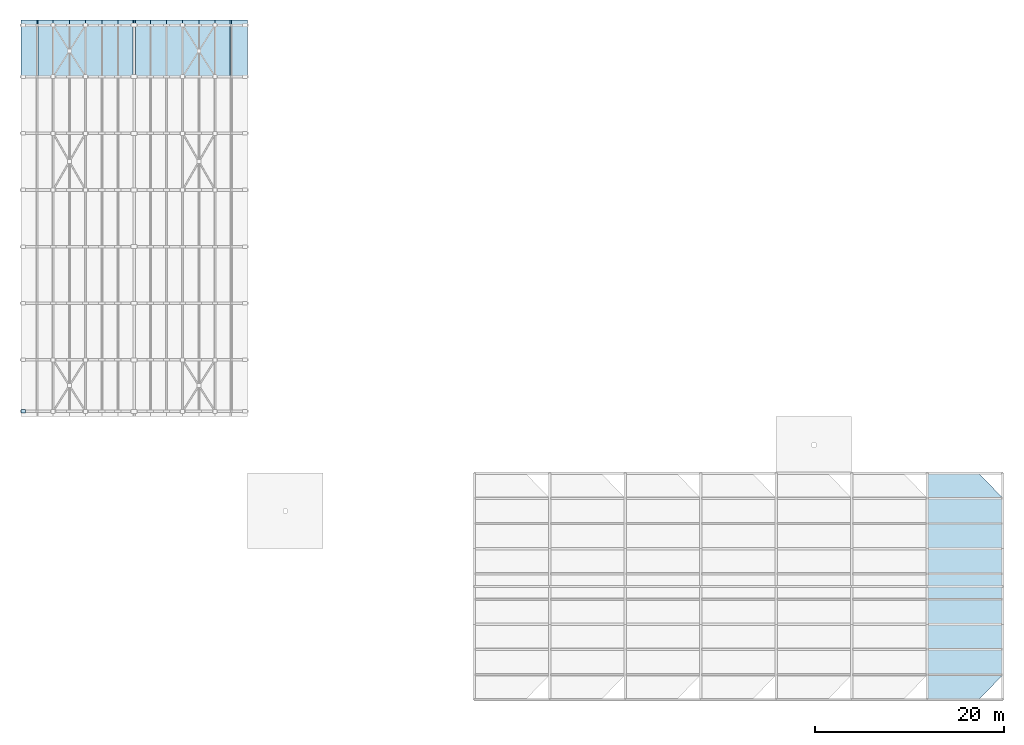
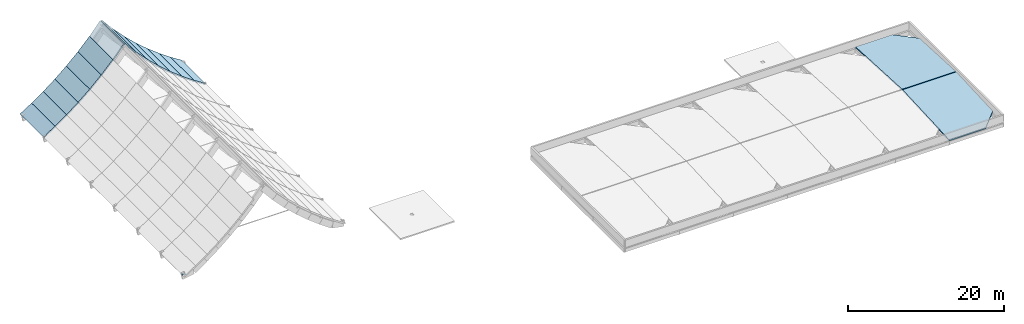
# One storey, part 5 of 7: 16 slabs, 1 plate.
"""IFC4 building model written with IfcOpenShell, lengths in metres."""

from ifc_helpers import new_model, si_unit, direction, frame, origin, origin_2d, place, context, subcontext, project, spatial, polyline, rectangle, outline, extrude, material, layer, layer_set, type_object, element, save


model = new_model("IFC4")

# Units and contexts
model_context = context("Model", 3, precision=1e-05, world=origin(), true_north=direction((0.0, 1.0)))
body_context = subcontext(model_context, "Body", "Model", "MODEL_VIEW")
ifc_project = project(units=[si_unit("LENGTHUNIT", "METRE"), si_unit("AREAUNIT", "SQUARE_METRE"), si_unit("VOLUMEUNIT", "CUBIC_METRE"), si_unit("PLANEANGLEUNIT", "RADIAN"), si_unit("MASSUNIT", "GRAM", prefix="KILO")], contexts=[model_context])

# Site, building, storey
site_placement = place(None, origin())
site = spatial("IfcSite", under=ifc_project, at=site_placement, CompositionType="ELEMENT")
building_placement = place(site_placement, origin())
building = spatial("IfcBuilding", under=site, at=building_placement, Name="Solvane Community Centre", CompositionType="ELEMENT")
storey_placement = place(building_placement, frame((0.0, 0.0, 22.199951171875)))
storey = spatial("IfcBuildingStorey", under=building, at=storey_placement, Name="RF", CompositionType="ELEMENT", Elevation=22.199951171875)

# Slabs
ifc_material_1 = material(Name="Cross-laminated timber C24", Category="wood")
ifc_layer_1 = layer(ifc_material_1, 0.199951171875)
ifc_layer_set_1 = layer_set([ifc_layer_1], Name="Cross-laminated timber C24")
slab_type_1 = type_object("IfcSlabType", Name="Insulated Pitched Roof Deck 200mm", PredefinedType="ROOF", material=ifc_layer_set_1)
slab_1_placement = place(storey_placement, frame((132.0, 6.0, 0.0), z_axis=(-7.218728e-06, -0.049949304334, 0.998751754414), x_axis=(0.999999999974, -3.6057e-07, 7.209717e-06)))
element("IfcSlab", 1, at=slab_1_placement, inside=storey, type_object=slab_type_1, Name="Pitched Roof SLB-PRF-V4-S7", PredefinedType="ROOF", context=body_context, shape_type="SweptSolid", body=[
    extrude(outline(polyline([(0.0, 0.0), (5.439941406108263, -2.8798810013916504e-22), (8.000000000625322, 2.632197648155185), (7.999999999924966, 11.964887212298295), (1.3340474325007824e-10, 11.964887212298295), (0.0, 0.0)])), origin(), (0.0, 0.0, -1.0), 0.199951171875),
])
slab_2_placement = place(storey_placement, frame((132.0, 18.050048828125, 0.59765625), z_axis=(-7.218728e-06, 0.049949304334, 0.998751754414), x_axis=(0.999999999974, 3.6057e-07, 7.209717e-06)))
element("IfcSlab", 2, at=slab_2_placement, inside=storey, type_object=slab_type_1, Name="Pitched Roof SLB-PRF-V4-N7", PredefinedType="ROOF", context=body_context, shape_type="SweptSolid", body=[
    extrude(outline(polyline([(0.0, 0.0), (7.9999999997915605, 4.235164736271502e-22), (8.000000000491916, 9.332689564143111), (5.439941405974857, 11.964887212298295), (-1.3340474325007824e-10, 11.964887212298295), (0.0, 0.0)])), origin(), (0.0, 0.0, -1.0), 0.199951171875),
])
ifc_layer_2 = layer(ifc_material_1, 0.199951171875)
ifc_layer_set_2 = layer_set([ifc_layer_2], Name="Cross-laminated timber C24")
slab_type_2 = type_object("IfcSlabType", Name="V1 Vault Roof Strip Slope 1 200mm", PredefinedType="ROOF", material=ifc_layer_set_2)
for number, where, z_axis, x_axis, name in (
    (3, (36.0, 72.0, -6.0), (-0.537939263543, 0.0, 0.84298359933), (0.84298359933, 0.0, 0.537939263543), "V1 Vault Roof Strip L1 Bay 7"),
    (4, (58.28564453125, 72.0, -4.906005859375), (0.537939263543, 0.0, 0.84298359933), (0.84298359933, 0.0, -0.537939263543), "V1 Vault Roof Strip R7 Bay 7"),
):
    element("IfcSlab", number, at=place(storey_placement, frame(where, z_axis=z_axis, x_axis=x_axis)), inside=storey, type_object=slab_type_2, Name=name, PredefinedType="ROOF", context=body_context, shape_type="SweptSolid", body=[
        extrude(outline(polyline([(0.0, 0.0), (2.0336759459055576, 0.0), (2.0336759459055576, 6.0), (0.0, 6.0), (0.0, 0.0)])), origin(), (0.0, 0.0, -1.0), 0.199951171875),
    ])
ifc_layer_3 = layer(ifc_material_1, 0.199951171875)
ifc_layer_set_3 = layer_set([ifc_layer_3], Name="Cross-laminated timber C24")
slab_type_3 = type_object("IfcSlabType", Name="V1 Vault Roof Strip Slope 2 200mm", PredefinedType="ROOF", material=ifc_layer_set_3)
for number, where, z_axis, x_axis, name in (
    (5, (37.71435546875, 72.0, -4.906005859375), (-0.575905782342, 0.0, 0.817516073154), (0.817516073154, 0.0, 0.575905782342), "V1 Vault Roof Strip L2 Bay 7"),
    (6, (56.571533203125, 72.0, -3.698486328125), (0.575905782342, 0.0, 0.817516073154), (0.817516073154, 0.0, -0.575905782342), "V1 Vault Roof Strip R6 Bay 7"),
):
    element("IfcSlab", number, at=place(storey_placement, frame(where, z_axis=z_axis, x_axis=x_axis)), inside=storey, type_object=slab_type_3, Name=name, PredefinedType="ROOF", context=body_context, shape_type="SweptSolid", body=[
        extrude(outline(polyline([(0.0, 0.0), (2.0967310422552226, 0.0), (2.0967310422552226, 6.000000000000002), (0.0, 6.000000000000002), (0.0, 0.0)])), origin(), (0.0, 0.0, -1.0), 0.199951171875),
    ])
ifc_layer_4 = layer(ifc_material_1, 0.199951171875)
ifc_layer_set_4 = layer_set([ifc_layer_4], Name="Cross-laminated timber C24")
slab_type_4 = type_object("IfcSlabType", Name="V1 Vault Roof Strip Slope 3 200mm", PredefinedType="ROOF", material=ifc_layer_set_4)
for number, where, z_axis, x_axis, name in (
    (7, (39.428466796875, 72.0, -3.698486328125), (-0.613761572762, 0.0, 0.789491438713), (0.789491438713, 0.0, 0.613761572762), "V1 Vault Roof Strip L3 Bay 7"),
    (8, (54.857177734375, 72.0, -2.36572265625), (0.613761572762, 0.0, 0.789491438713), (0.789491438713, 0.0, -0.613761572762), "V1 Vault Roof Strip R5 Bay 7"),
):
    element("IfcSlab", number, at=place(storey_placement, frame(where, z_axis=z_axis, x_axis=x_axis)), inside=storey, type_object=slab_type_4, Name=name, PredefinedType="ROOF", context=body_context, shape_type="SweptSolid", body=[
        extrude(outline(polyline([(0.0, 0.0), (2.171468092858554, 0.0), (2.171468092858554, 6.0), (0.0, 6.0), (0.0, 0.0)])), origin(), (0.0, 0.0, -1.0), 0.199951171875),
    ])
ifc_layer_5 = layer(ifc_material_1, 0.199951171875)
ifc_layer_set_5 = layer_set([ifc_layer_5], Name="Cross-laminated timber C24")
slab_type_5 = type_object("IfcSlabType", Name="V1 Vault Roof Strip Slope 4 200mm", PredefinedType="ROOF", material=ifc_layer_set_5)
for number, where, z_axis, x_axis, name in (
    (9, (41.142822265625, 72.0, -2.36572265625), (-0.651795863022, 0.0, 0.758394457355), (0.758394457355, 0.0, 0.651795863022), "V1 Vault Roof Strip L4 Bay 7"),
    (10, (53.142822265625, 72.0, -0.892333984375), (0.651795863022, 0.0, 0.758394457355), (0.758394457355, 0.0, -0.651795863022), "V1 Vault Roof Strip R4 Bay 7"),
):
    element("IfcSlab", number, at=place(storey_placement, frame(where, z_axis=z_axis, x_axis=x_axis)), inside=storey, type_object=slab_type_5, Name=name, PredefinedType="ROOF", context=body_context, shape_type="SweptSolid", body=[
        extrude(outline(polyline([(0.0, 0.0), (2.260506326388539, 0.0), (2.260506326388539, 6.000000000000002), (0.0, 6.000000000000002), (0.0, 0.0)])), origin(), (0.0, 0.0, -1.0), 0.199951171875),
    ])
ifc_layer_6 = layer(ifc_material_1, 0.199951171875)
ifc_layer_set_6 = layer_set([ifc_layer_6], Name="Cross-laminated timber C24")
slab_type_6 = type_object("IfcSlabType", Name="V1 Vault Roof Strip Slope 5 200mm", PredefinedType="ROOF", material=ifc_layer_set_6)
for number, where, z_axis, x_axis, name in (
    (11, (42.857177734375, 72.0, -0.892333984375), (-0.689729837538, 0.0, 0.724066814051), (0.724066814051, 0.0, 0.689729837538), "V1 Vault Roof Strip L5 Bay 7"),
    (12, (51.428466796875, 72.0, 0.74072265625), (0.689729837538, 0.0, 0.724066814051), (0.724066814051, 0.0, -0.689729837538), "V1 Vault Roof Strip R3 Bay 7"),
):
    element("IfcSlab", number, at=place(storey_placement, frame(where, z_axis=z_axis, x_axis=x_axis)), inside=storey, type_object=slab_type_6, Name=name, PredefinedType="ROOF", context=body_context, shape_type="SweptSolid", body=[
        extrude(outline(polyline([(0.0, 0.0), (2.3676757938371633, 0.0), (2.3676757938371633, 6.0), (0.0, 6.0), (0.0, 0.0)])), origin(), (0.0, 0.0, -1.0), 0.199951171875),
    ])
ifc_layer_7 = layer(ifc_material_1, 0.199951171875)
ifc_layer_set_7 = layer_set([ifc_layer_7], Name="Cross-laminated timber C24")
slab_type_7 = type_object("IfcSlabType", Name="V1 Vault Roof Strip Slope 6 200mm", PredefinedType="ROOF", material=ifc_layer_set_7)
for number, where, z_axis, x_axis, name in (
    (13, (44.571533203125, 72.0, 0.74072265625), (-0.727703636837, 0.0, 0.685891694755), (0.685891694755, 0.0, 0.727703636837), "V1 Vault Roof Strip L6 Bay 7"),
    (14, (49.71435546875, 72.0, 2.559326171875), (0.727703636837, 0.0, 0.685891694755), (0.685891694755, 0.0, -0.727703636837), "V1 Vault Roof Strip R2 Bay 7"),
):
    element("IfcSlab", number, at=place(storey_placement, frame(where, z_axis=z_axis, x_axis=x_axis)), inside=storey, type_object=slab_type_7, Name=name, PredefinedType="ROOF", context=body_context, shape_type="SweptSolid", body=[
        extrude(outline(polyline([(0.0, 0.0), (2.499099116131663, 0.0), (2.499099116131663, 6.0), (0.0, 6.0), (0.0, 0.0)])), origin(), (0.0, 0.0, -1.0), 0.199951171875),
    ])
ifc_layer_8 = layer(ifc_material_1, 0.199951171875)
ifc_layer_set_8 = layer_set([ifc_layer_8], Name="Cross-laminated timber C24")
slab_type_8 = type_object("IfcSlabType", Name="V1 Vault Roof Strip Slope 7 200mm", PredefinedType="ROOF", material=ifc_layer_set_8)
for number, where, z_axis, x_axis, name in (
    (15, (46.28564453125, 72.0, 2.559326171875), (-0.765712626193, 0.0, 0.643182846545), (0.643182846545, 0.0, 0.765712626193), "V1 Vault Roof Strip L7 Bay 7"),
    (16, (48.1201171875, 72.0, 4.457275390625), (0.765712626193, 0.0, 0.643182846545), (0.643182846545, 0.0, -0.765712626193), "V1 Vault Roof Strip R1 Bay 7"),
):
    element("IfcSlab", number, at=place(storey_placement, frame(where, z_axis=z_axis, x_axis=x_axis)), inside=storey, type_object=slab_type_8, Name=name, PredefinedType="ROOF", context=body_context, shape_type="SweptSolid", body=[
        extrude(outline(polyline([(0.0, 0.0), (2.4786703964740227, 0.0), (2.4786703964740227, 5.999999999999999), (0.0, 5.999999999999999), (0.0, 0.0)])), origin(), (0.0, 0.0, -1.0), 0.199951171875),
    ])

# Plate
ifc_material_2 = material(Name="Steel ASTM A572 Grade 50", Category="steel")
ifc_layer_9 = layer(ifc_material_2, 0.035888671875)
ifc_layer_set_9 = layer_set([ifc_layer_9], Name="Steel ASTM A572 Grade 50")
plate_type = type_object("IfcPlateType", Name="Vault Base Pin Shoe Plate 520x380x36", PredefinedType="USERDEFINED", material=ifc_layer_set_9)
plate_placement = place(storey_placement, frame((36.25, 36.550048828125, -5.998046875), z_axis=(0.0, 0.0, 1.0), x_axis=(1.0, 0.0, 0.0)))
element("IfcPlate", 17, at=plate_placement, inside=storey, type_object=plate_type, Name="Gusset Plate PLT-RF-0001", ObjectType="GUSSET_PLATE", PredefinedType="USERDEFINED", context=body_context, shape_type="SweptSolid", body=[
    extrude(rectangle(XDim=0.52001953125, YDim=0.3798828125, at=origin_2d()), origin(), (0.0, 0.0, 1.0), 0.035888671875),
])

save(model, "model.ifc")
